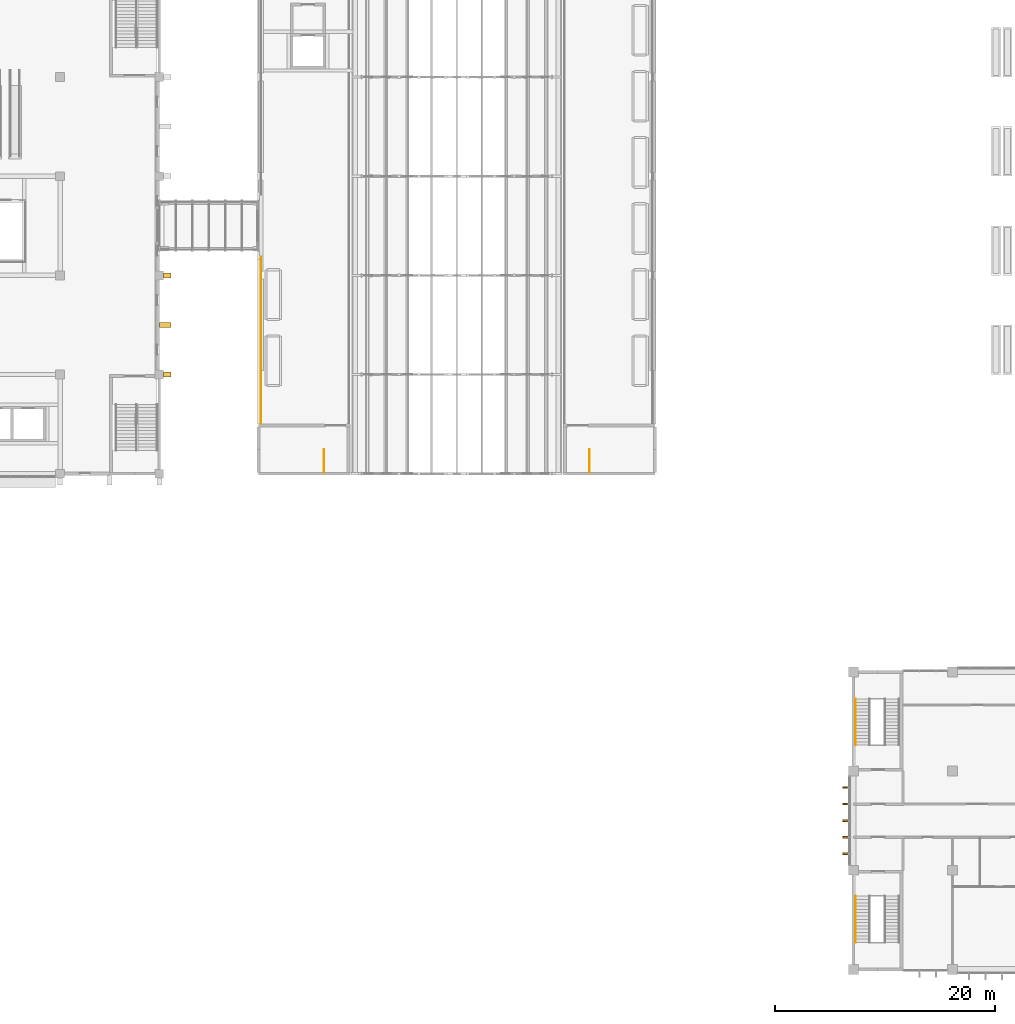
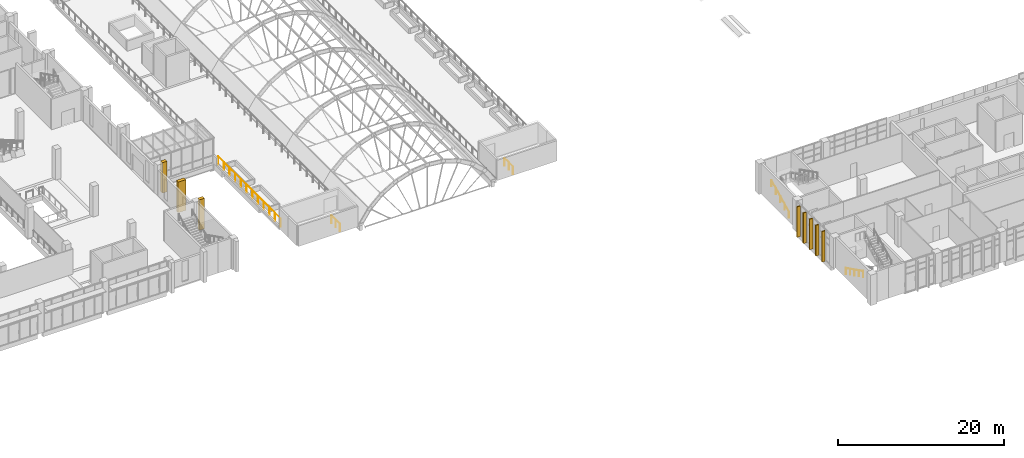
# One storey, part 72 of 79: 5 railings, 5 shading devices, 3 coverings.
"""IFC4 building model written with IfcOpenShell, lengths in metres."""

from ifc_helpers import new_model, si_unit, direction, frame, origin, origin_2d, place, context, subcontext, project, spatial, rectangle, circle, extrude, material, layer, layer_set, type_object, element, save


model = new_model("IFC4")

# Units and contexts
model_context = context("Model", 3, precision=1e-05, world=origin(), true_north=direction((0.0, 1.0)))
body_context = subcontext(model_context, "Body", "Model", "MODEL_VIEW")
ifc_project = project(units=[si_unit("LENGTHUNIT", "METRE"), si_unit("AREAUNIT", "SQUARE_METRE"), si_unit("VOLUMEUNIT", "CUBIC_METRE"), si_unit("PLANEANGLEUNIT", "RADIAN"), si_unit("MASSUNIT", "GRAM", prefix="KILO")], contexts=[model_context])

# Site, building, storey
site_placement = place(None, origin())
site = spatial("IfcSite", under=ifc_project, at=site_placement, CompositionType="ELEMENT")
building_placement = place(site_placement, origin())
building = spatial("IfcBuilding", under=site, at=building_placement, Name="Guidao Yard Department Store", CompositionType="ELEMENT")
storey_placement = place(building_placement, frame((0.0, 0.0, 15.0)))
storey = spatial("IfcBuildingStorey", under=building, at=storey_placement, Name="L03", CompositionType="ELEMENT", Elevation=15.0)

# Railings
ifc_material_1 = material(Name="Steel Q235", Category="steel")
railing_type_1 = type_object("IfcRailingType", Name="Guard steel balustrade 1100", PredefinedType="GUARDRAIL", material=ifc_material_1)
for number, where, name in (
    (1, (77.949951171875, 47.175048828125, 0.0), "Stair G1 guard L03 9"),
    (2, (102.050048828125, 47.175048828125, 0.0), "Stair G3 guard L03 11"),
):
    element("IfcRailing", number, at=place(storey_placement, frame(where)), inside=storey, type_object=railing_type_1, Name=name, PredefinedType="GUARDRAIL", context=body_context, shape_type="SweptSolid", body=[
        extrude(circle(Radius=0.02392578125, at=origin_2d()), frame((0.0, 0.0, 1.076171875), z_axis=(0.0, -1.0, 0.0), x_axis=(1.0, 0.0, 0.0)), (0.0, 0.0, 1.0), 2.050048828125),
        extrude(circle(Radius=0.02099609375, at=origin_2d()), origin(), (0.0, 0.0, 1.0), 1.052001953125),
        extrude(circle(Radius=0.02099609375, at=origin_2d()), frame((0.0, -1.02490234375, 0.0)), (0.0, 0.0, 1.0), 1.052001953125),
        extrude(circle(Radius=0.02099609375, at=origin_2d()), frame((0.0, -2.050048828125, 0.0)), (0.0, 0.0, 1.0), 1.052001953125),
    ])
ifc_material_2 = material(Name="Steel Q235", Category="steel")
railing_type_2 = type_object("IfcRailingType", Name="Guard steel balustrade 1200", PredefinedType="GUARDRAIL", material=ifc_material_2)
railing_1_placement = place(storey_placement, frame((72.25, 49.550048828125, 0.0)))
element("IfcRailing", 3, at=railing_1_placement, inside=storey, type_object=railing_type_2, Name="Guard garden ROOF-AW 1 L03", PredefinedType="GUARDRAIL", context=body_context, shape_type="SweptSolid", body=[
    extrude(circle(Radius=0.02392578125, at=origin_2d()), frame((0.0, 0.0, 1.17578125), z_axis=(0.0, 1.0, 0.0), x_axis=(-1.0, 0.0, 0.0)), (0.0, 0.0, 1.0), 15.099853515625),
    extrude(circle(Radius=0.02099609375, at=origin_2d()), origin(), (0.0, 0.0, 1.0), 1.15185546875),
    extrude(circle(Radius=0.02099609375, at=origin_2d()), frame((0.0, 1.372802734375, 0.0)), (0.0, 0.0, 1.0), 1.15185546875),
    extrude(circle(Radius=0.02099609375, at=origin_2d()), frame((0.0, 2.745361328125, 0.0)), (0.0, 0.0, 1.0), 1.15185546875),
    extrude(circle(Radius=0.02099609375, at=origin_2d()), frame((0.0, 4.1181640625, 0.0)), (0.0, 0.0, 1.0), 1.15185546875),
    extrude(circle(Radius=0.02099609375, at=origin_2d()), frame((0.0, 5.490966796875, 0.0)), (0.0, 0.0, 1.0), 1.15185546875),
    extrude(circle(Radius=0.02099609375, at=origin_2d()), frame((0.0, 6.863525390625, 0.0)), (0.0, 0.0, 1.0), 1.15185546875),
    extrude(circle(Radius=0.02099609375, at=origin_2d()), frame((0.0, 8.236328125, 0.0)), (0.0, 0.0, 1.0), 1.15185546875),
    extrude(circle(Radius=0.02099609375, at=origin_2d()), frame((0.0, 9.60888671875, 0.0)), (0.0, 0.0, 1.0), 1.15185546875),
    extrude(circle(Radius=0.02099609375, at=origin_2d()), frame((0.0, 10.981689453125, 0.0)), (0.0, 0.0, 1.0), 1.15185546875),
    extrude(circle(Radius=0.02099609375, at=origin_2d()), frame((0.0, 12.3544921875, 0.0)), (0.0, 0.0, 1.0), 1.15185546875),
    extrude(circle(Radius=0.02099609375, at=origin_2d()), frame((0.0, 13.72705078125, 0.0)), (0.0, 0.0, 1.0), 1.15185546875),
    extrude(circle(Radius=0.02099609375, at=origin_2d()), frame((0.0, 15.099853515625, 0.0)), (0.0, 0.0, 1.0), 1.15185546875),
])
ifc_material_3 = material(Name="Steel Q235", Category="steel")
railing_type_3 = type_object("IfcRailingType", Name="Handrail steel tube 48", PredefinedType="HANDRAIL", material=ifc_material_3)
railing_2_placement = place(storey_placement, frame((126.18505859375, 6.64990234375, 0.14990234375)))
element("IfcRailing", 4, at=railing_2_placement, inside=storey, type_object=railing_type_3, Name="Stair O1 hand rail L03 33", PredefinedType="HANDRAIL", context=body_context, shape_type="SweptSolid", body=[
    extrude(circle(Radius=0.02392578125, at=origin_2d()), frame((0.0, 0.0, 0.8759765625), z_axis=(0.0, -0.894416792377, 0.447234392142), x_axis=(1.0, 0.0, 0.0)), (0.0, 0.0, 1.0), 4.69580078125),
    extrude(circle(Radius=0.02099609375, at=origin_2d()), origin(), (0.0, 0.0, 1.0), 0.851806640625),
    extrude(circle(Radius=0.02099609375, at=origin_2d()), frame((0.0, -1.050048828125, 0.52490234375)), (0.0, 0.0, 1.0), 0.851806640625),
    extrude(circle(Radius=0.02099609375, at=origin_2d()), frame((0.0, -2.10009765625, 1.050048828125)), (0.0, 0.0, 1.0), 0.851806640625),
    extrude(circle(Radius=0.02099609375, at=origin_2d()), frame((0.0, -3.14990234375, 1.5751953125)), (0.0, 0.0, 1.0), 0.851806640625),
    extrude(circle(Radius=0.02099609375, at=origin_2d()), frame((0.0, -4.199951171875, 2.10009765625)), (0.0, 0.0, 1.0), 0.851806640625),
])
railing_3_placement = place(storey_placement, frame((126.18505859375, 20.35009765625, 0.14990234375)))
element("IfcRailing", 5, at=railing_3_placement, inside=storey, type_object=railing_type_3, Name="Stair O3 hand rail L03 41", PredefinedType="HANDRAIL", context=body_context, shape_type="SweptSolid", body=[
    extrude(circle(Radius=0.02392578125, at=origin_2d()), frame((0.0, 0.0, 0.8759765625), z_axis=(0.0, 0.894416792377, 0.447234392142), x_axis=(-1.0, 0.0, 0.0)), (0.0, 0.0, 1.0), 4.69580078125),
    extrude(circle(Radius=0.02099609375, at=origin_2d()), origin(), (0.0, 0.0, 1.0), 0.851806640625),
    extrude(circle(Radius=0.02099609375, at=origin_2d()), frame((0.0, 1.050048828125, 0.52490234375)), (0.0, 0.0, 1.0), 0.851806640625),
    extrude(circle(Radius=0.02099609375, at=origin_2d()), frame((0.0, 2.10009765625, 1.050048828125)), (0.0, 0.0, 1.0), 0.851806640625),
    extrude(circle(Radius=0.02099609375, at=origin_2d()), frame((0.0, 3.14990234375, 1.5751953125)), (0.0, 0.0, 1.0), 0.851806640625),
    extrude(circle(Radius=0.02099609375, at=origin_2d()), frame((0.0, 4.199951171875, 2.10009765625)), (0.0, 0.0, 1.0), 0.851806640625),
])

# Coverings
ifc_material_4 = material(Name="Precast concrete C40/50", Category="concrete")
ifc_layer = layer(ifc_material_4, 0.449951171875)
ifc_layer_set = layer_set([ifc_layer], Name="Precast fin FN1 board-formed concrete")
covering_type = type_object("IfcCoveringType", Name="Precast fin FN1 board-formed concrete", PredefinedType="CLADDING", material=ifc_layer_set)
covering_1_placement = place(storey_placement, frame((63.72509765625, 54.0, 0.0), z_axis=(0.0, 0.0, 1.0), x_axis=(0.0, -1.0, 0.0)))
element("IfcCovering", 6, at=covering_1_placement, inside=storey, type_object=covering_type, Name="Precast fin", PredefinedType="CLADDING", context=body_context, shape_type="SweptSolid", body=[
    extrude(rectangle(XDim=0.449951171875, YDim=0.64990234375, at=origin_2d()), origin(), (0.0, 0.0, 1.0), 4.5),
])
covering_2_placement = place(storey_placement, frame((63.52490234375, 58.5, 0.0), z_axis=(0.0, 0.0, 1.0), x_axis=(0.0, -1.0, 0.0)))
element("IfcCovering", 7, at=covering_2_placement, inside=storey, type_object=covering_type, Name="Precast fin", PredefinedType="CLADDING", context=body_context, shape_type="SweptSolid", body=[
    extrude(rectangle(XDim=0.449951171875, YDim=1.050048828125, at=origin_2d()), origin(), (0.0, 0.0, 1.0), 4.5),
])
covering_3_placement = place(storey_placement, frame((63.72509765625, 63.0, 0.0), z_axis=(0.0, 0.0, 1.0), x_axis=(0.0, -1.0, 0.0)))
element("IfcCovering", 8, at=covering_3_placement, inside=storey, type_object=covering_type, Name="Precast fin", PredefinedType="CLADDING", context=body_context, shape_type="SweptSolid", body=[
    extrude(rectangle(XDim=0.449951171875, YDim=0.64990234375, at=origin_2d()), origin(), (0.0, 0.0, 1.0), 4.5),
])

# Shading devices
ifc_material_5 = material(Name="Aluminium 6063-T5", Category="aluminium")
shading_device_type = type_object("IfcShadingDeviceType", Name="Vertical fin FN2 aluminium 150 x 450", PredefinedType="SHUTTER", material=ifc_material_5)
for number, where, z_axis, x_axis, name in (
    (9, (125.264892578125, 10.5, 0.0), (0.0, 0.0, 1.0), (0.0, 1.0, 0.0), "Vertical fin"),
    (10, (125.264892578125, 12.0, 0.0), (0.0, 0.0, 1.0), (0.0, 1.0, 0.0), "Vertical fin"),
    (11, (125.264892578125, 13.5, 0.0), (0.0, 0.0, 1.0), (0.0, 1.0, 0.0), "Vertical fin"),
    (12, (125.264892578125, 15.0, 0.0), (0.0, 0.0, 1.0), (0.0, 1.0, 0.0), "Vertical fin"),
    (13, (125.264892578125, 16.5, 0.0), (0.0, 0.0, 1.0), (0.0, 1.0, 0.0), "Vertical fin"),
):
    element("IfcShadingDevice", number, at=place(storey_placement, frame(where, z_axis=z_axis, x_axis=x_axis)), inside=storey, type_object=shading_device_type, Name=name, PredefinedType="SHUTTER", context=body_context, shape_type="SweptSolid", body=[
        extrude(rectangle(XDim=0.14990234375, YDim=0.449951171875, at=origin_2d()), origin(), (0.0, 0.0, 1.0), 4.5),
    ])

save(model, "model.ifc")
